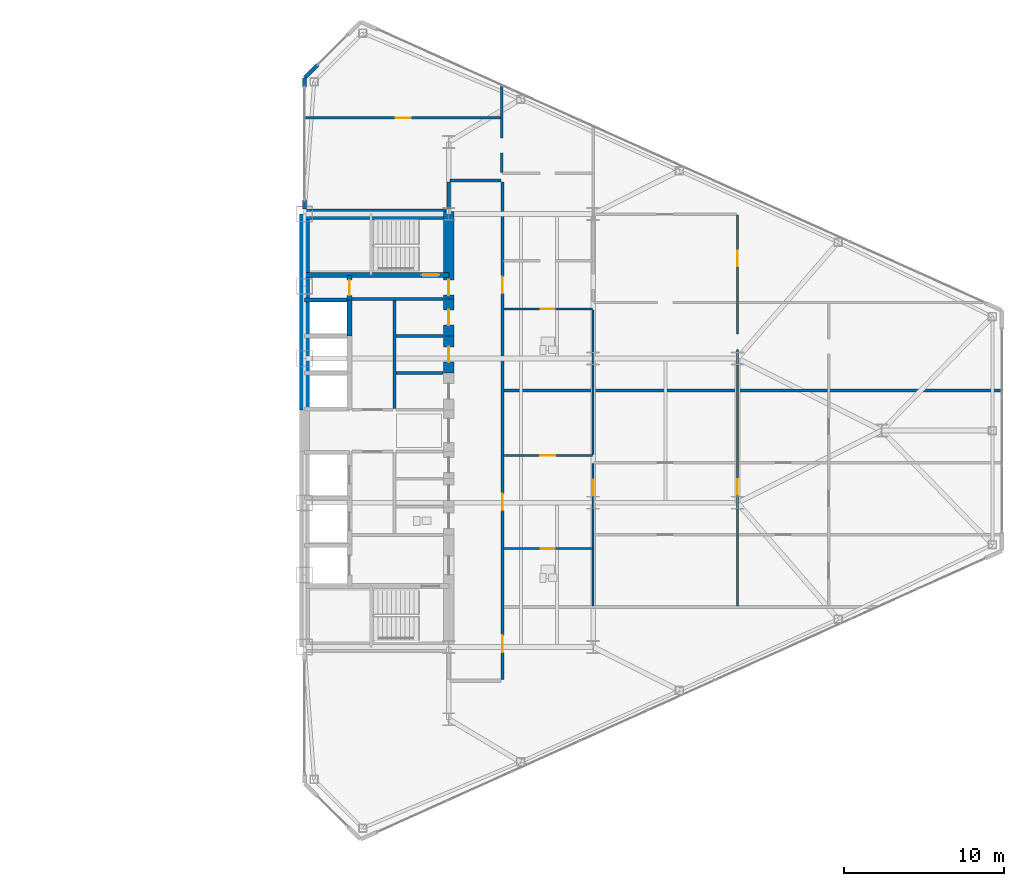
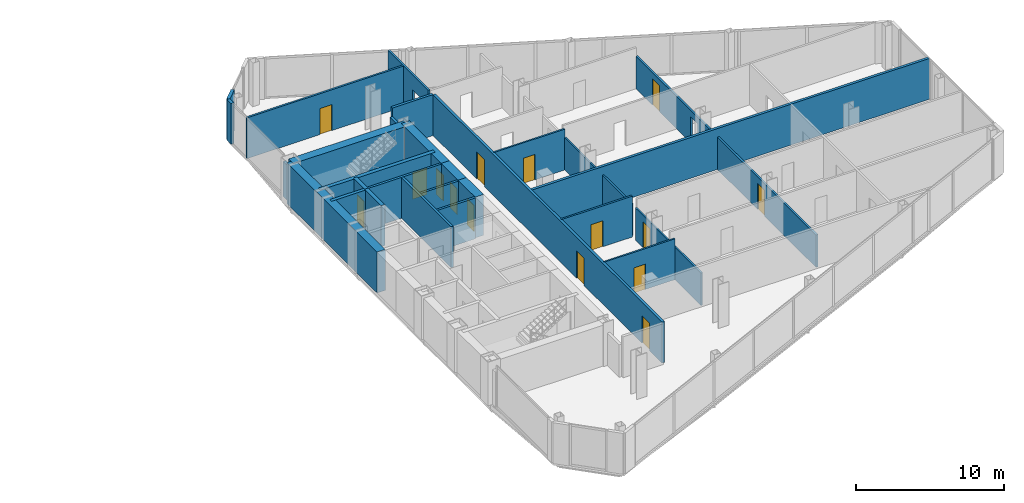
# One storey, part 23 of 27: 28 walls, 15 doors, 17 openings.
"""IFC4 building model written with IfcOpenShell, lengths in metres."""

from ifc_helpers import new_model, si_unit, direction, frame, frame_2d, origin, place, context, subcontext, project, spatial, rectangle, extrude, source, transform, mapped, material, layer, layer_set, type_object, type_shapes, element, fill, save


model = new_model("IFC4")

# Units and contexts
model_context = context("Model", 3, precision=1e-05, world=origin(), true_north=direction((0.0, 1.0)))
body_context = subcontext(model_context, "Body", "Model", "MODEL_VIEW")
ifc_project = project(units=[si_unit("LENGTHUNIT", "METRE"), si_unit("AREAUNIT", "SQUARE_METRE"), si_unit("VOLUMEUNIT", "CUBIC_METRE"), si_unit("PLANEANGLEUNIT", "RADIAN"), si_unit("MASSUNIT", "GRAM", prefix="KILO")], contexts=[model_context])

# Site, building, storey
site_placement = place(None, origin())
site = spatial("IfcSite", under=ifc_project, at=site_placement, CompositionType="ELEMENT")
building_placement = place(site_placement, origin())
building = spatial("IfcBuilding", under=site, at=building_placement, Name="Seokmaru Belvedere", CompositionType="ELEMENT")
storey_placement = place(building_placement, frame((0.0, 0.0, 103.199951171875)))
storey = spatial("IfcBuildingStorey", under=building, at=storey_placement, Name="L27", CompositionType="ELEMENT", Elevation=103.199951171875)

# Wall, opening, door
ifc_material_1 = material(Name="Fire-Rated Gypsum Shaftwall")
ifc_layer_1 = layer(ifc_material_1, 0.14990234375)
ifc_layer_set_1 = layer_set([ifc_layer_1], Name="Fire-Rated Gypsum Shaftwall")
wall_type_1 = type_object("IfcWallType", Name="Apartment Fire-Acoustic Room Partition 150", PredefinedType="PARTITIONING", material=ifc_layer_set_1)
wall_1_placement = place(storey_placement, frame((39.89990234375, -1.550048828125, 0.0), z_axis=(0.0, 0.0, 1.0), x_axis=(1.0, 0.0, 0.0)))
wall_1 = element("IfcWall", 1, at=wall_1_placement, inside=storey, type_object=wall_type_1, Name="L27 Interior Partition 014", PredefinedType="PARTITIONING", context=body_context, shape_type="SweptSolid", body=[
    extrude(rectangle(XDim=5.550048828125, YDim=0.14990234375, at=frame_2d((2.77490234375, 0.0))), origin(), (0.0, 0.0, 1.0), 3.380126953125),
])
opening_1_placement = place(wall_1_placement, frame((2.300048828125, 0.0, 0.0)))
opening_1 = element("IfcOpeningElement", 2, at=opening_1_placement, cuts=wall_1, Name="Opening D05", PredefinedType="OPENING", context=body_context, shape_type="SweptSolid", body=[
    extrude(rectangle(XDim=0.949951171875, YDim=2.14990234375, at=frame_2d((0.47509765625, 1.074951171875))), frame((0.0, 0.0849609375, 0.0), z_axis=(0.0, -1.0, 0.0), x_axis=(1.0, 0.0, 0.0)), (0.0, 0.0, 1.0), 0.169921875),
])
ifc_material_2 = material(Name="Engineered White Oak Timber", Category="wood")
door_type_1 = type_object("IfcDoorType", Name="Apartment Interior Fire-Rated Oak Door 950x2150", OperationType="NOTDEFINED", PredefinedType="DOOR", material=ifc_material_2)
shared_shape_1 = source(origin(), body_context, "Body", "SweptSolid", [
    extrude(rectangle(XDim=0.949951171875, YDim=2.14990234375, at=frame_2d((0.47509765625, 1.074951171875))), frame((0.0, 0.02490234375, 0.0), z_axis=(0.0, -1.0, 0.0), x_axis=(1.0, 0.0, 0.0)), (0.0, 0.0, 1.0), 0.050048828125),
])
type_shapes(door_type_1, [shared_shape_1])
door_1_placement = place(opening_1_placement, origin())
door_1 = element("IfcDoor", 3, at=door_1_placement, inside=storey, type_object=door_type_1, Name="L27 Interior Door 039", OperationType="SINGLE_SWING_RIGHT", OverallHeight=2.14990234375, OverallWidth=0.949951171875, PredefinedType="DOOR", context=body_context, shape_type="MappedRepresentation", body=[
    mapped(shared_shape_1, transform((0.0, 0.0, 0.0), scale=1.0)),
])
fill(opening_1, door_1)

wall_2_placement = place(storey_placement, frame((27.465087890625, 19.5, 0.0), z_axis=(0.0, 0.0, 1.0), x_axis=(1.0, 0.0, 0.0)))
wall_2 = element("IfcWall", 4, at=wall_2_placement, inside=storey, type_object=wall_type_1, Name="L27 Interior Partition 032", PredefinedType="PARTITIONING", context=body_context, shape_type="SweptSolid", body=[
    extrude(rectangle(XDim=12.284912109375, YDim=0.14990234375, at=frame_2d((6.142578125, 0.0))), origin(), (0.0, 0.0, 1.0), 3.380126953125),
])
opening_2_placement = place(wall_2_placement, frame((5.7099609375, 0.0, 0.0)))
opening_2 = element("IfcOpeningElement", 5, at=opening_2_placement, cuts=wall_2, Name="Opening D05", PredefinedType="OPENING", context=body_context, shape_type="SweptSolid", body=[
    extrude(rectangle(XDim=0.949951171875, YDim=2.14990234375, at=frame_2d((0.47509765625, 1.074951171875))), frame((0.0, 0.0849609375, 0.0), z_axis=(0.0, -1.0, 0.0), x_axis=(1.0, 0.0, 0.0)), (0.0, 0.0, 1.0), 0.169921875),
])
door_2_placement = place(opening_2_placement, origin())
door_2 = element("IfcDoor", 6, at=door_2_placement, inside=storey, type_object=door_type_1, Name="L27 Interior Door 060", OperationType="SINGLE_SWING_LEFT", OverallHeight=2.14990234375, OverallWidth=0.949951171875, PredefinedType="DOOR", context=body_context, shape_type="MappedRepresentation", body=[
    mapped(shared_shape_1, transform((0.0, 0.0, 0.0), scale=1.0)),
])
fill(opening_2, door_2)

# Wall, opening
wall_3_placement = place(storey_placement, frame((39.800048828125, 16.10888671875, 0.0), z_axis=(0.0, 0.0, 1.0), x_axis=(0.0, 1.0, 0.0)))
wall_3 = element("IfcWall", 7, at=wall_3_placement, inside=storey, type_object=wall_type_1, Name="L27 Interior Partition 047", PredefinedType="PARTITIONING", context=body_context, shape_type="SweptSolid", body=[
    extrude(rectangle(XDim=5.466064453125, YDim=0.14990234375, at=frame_2d((2.73291015625, 0.0))), origin(), (0.0, 0.0, 1.0), 3.380126953125),
])
opening_3_placement = place(wall_3_placement, frame((1.1953125, 0.0, 0.0)))
element("IfcOpeningElement", 8, at=opening_3_placement, cuts=wall_3, Name="L27 Cased Opening 059", PredefinedType="OPENING", context=body_context, shape_type="SweptSolid", body=[
    extrude(rectangle(XDim=0.949951171875, YDim=2.14990234375, at=frame_2d((0.47509765625, 1.074951171875))), frame((0.0, 0.0849609375, 0.0), z_axis=(0.0, -1.0, 0.0), x_axis=(1.0, 0.0, 0.0)), (0.0, 0.0, 1.0), 0.169921875),
])

# Wall, openings, doors
wall_4_placement = place(storey_placement, frame((54.5, -10.949951171875, 0.0), z_axis=(0.0, 0.0, 1.0), x_axis=(0.0, 1.0, 0.0)))
wall_4 = element("IfcWall", 9, at=wall_4_placement, inside=storey, type_object=wall_type_1, Name="L27 Interior Partition 052", PredefinedType="PARTITIONING", context=body_context, shape_type="SweptSolid", body=[
    extrude(rectangle(XDim=24.383056640625, YDim=0.14990234375, at=frame_2d((12.19140625, 0.0))), origin(), (0.0, 0.0, 1.0), 2.679931640625),
])
opening_4_placement = place(wall_4_placement, frame((6.95703125, 0.0, 0.0)))
opening_4 = element("IfcOpeningElement", 10, at=opening_4_placement, cuts=wall_4, Name="Opening D05", PredefinedType="OPENING", context=body_context, shape_type="SweptSolid", body=[
    extrude(rectangle(XDim=0.949951171875, YDim=2.14990234375, at=frame_2d((0.47509765625, 1.074951171875))), frame((0.0, 0.0849609375, 0.0), z_axis=(0.0, -1.0, 0.0), x_axis=(1.0, 0.0, 0.0)), (0.0, 0.0, 1.0), 0.169921875),
])
opening_5_placement = place(wall_4_placement, frame((21.21240234375, 0.0, 0.0)))
opening_5 = element("IfcOpeningElement", 11, at=opening_5_placement, cuts=wall_4, Name="Opening D05", PredefinedType="OPENING", context=body_context, shape_type="SweptSolid", body=[
    extrude(rectangle(XDim=0.949951171875, YDim=2.14990234375, at=frame_2d((0.47509765625, 1.074951171875))), frame((0.0, 0.0849609375, 0.0), z_axis=(0.0, -1.0, 0.0), x_axis=(1.0, 0.0, 0.0)), (0.0, 0.0, 1.0), 0.169921875),
])
opening_6_placement = place(wall_4_placement, frame((16.01806640625, 0.0, 0.0)))
element("IfcOpeningElement", 12, at=opening_6_placement, cuts=wall_4, Name="L27 Cased Opening 056", PredefinedType="OPENING", context=body_context, shape_type="SweptSolid", body=[
    extrude(rectangle(XDim=0.949951171875, YDim=2.14990234375, at=frame_2d((0.47509765625, 1.074951171875))), frame((0.0, 0.0849609375, 0.0), z_axis=(0.0, -1.0, 0.0), x_axis=(1.0, 0.0, 0.0)), (0.0, 0.0, 1.0), 0.169921875),
])
door_3_placement = place(opening_4_placement, origin())
door_3 = element("IfcDoor", 13, at=door_3_placement, inside=storey, type_object=door_type_1, Name="L27 Interior Door 041", OperationType="SINGLE_SWING_RIGHT", OverallHeight=2.14990234375, OverallWidth=0.949951171875, PredefinedType="DOOR", context=body_context, shape_type="MappedRepresentation", body=[
    mapped(shared_shape_1, transform((0.0, 0.0, 0.0), scale=1.0)),
])
fill(opening_4, door_3)
door_4_placement = place(opening_5_placement, origin())
door_4 = element("IfcDoor", 14, at=door_4_placement, inside=storey, type_object=door_type_1, Name="L27 Interior Door 053", OperationType="SINGLE_SWING_LEFT", OverallHeight=2.14990234375, OverallWidth=0.949951171875, PredefinedType="DOOR", context=body_context, shape_type="MappedRepresentation", body=[
    mapped(shared_shape_1, transform((0.0, 0.0, 0.0), scale=1.0)),
])
fill(opening_5, door_4)

# Walls
ifc_layer_2 = layer(ifc_material_1, 0.179931640625)
ifc_layer_set_2 = layer_set([ifc_layer_2], Name="Fire-Rated Gypsum Shaftwall")
wall_type_2 = type_object("IfcWallType", Name="Core Service Fire Partition 180", PredefinedType="PARTITIONING", material=ifc_layer_set_2)
wall_5_placement = place(storey_placement, frame((30.449951171875, 8.199951171875, 0.0), z_axis=(0.0, 0.0, 1.0), x_axis=(1.0, 0.0, 0.0)))
element("IfcWall", 15, at=wall_5_placement, inside=storey, type_object=wall_type_2, Name="L27 East Smokeproof Vestibule Partition", PredefinedType="PARTITIONING", context=body_context, shape_type="SweptSolid", body=[
    extrude(rectangle(XDim=5.699951171875, YDim=0.179931640625, at=frame_2d((2.85009765625, 0.0))), origin(), (0.0, 0.0, 1.0), 3.380126953125),
])
wall_6_placement = place(storey_placement, frame((33.10009765625, 1.3798828125, 0.0), z_axis=(0.0, 0.0, 1.0), x_axis=(0.0, 1.0, 0.0)))
element("IfcWall", 16, at=wall_6_placement, inside=storey, type_object=wall_type_2, Name="L27 East North Core Service Back Wall", PredefinedType="PARTITIONING", context=body_context, shape_type="SweptSolid", body=[
    extrude(rectangle(XDim=6.740234375, YDim=0.179931640625, at=frame_2d((3.3701171875, 0.0))), origin(), (0.0, 0.0, 1.0), 3.380126953125),
])
for number, where, z_axis, x_axis, name in (
    (17, (33.199951171875, 3.60009765625, 0.0), (0.0, 0.0, 1.0), (1.0, 0.0, 0.0), "L27 East Core Service Partition 3"),
    (18, (33.199951171875, 5.89990234375, 0.0), (0.0, 0.0, 1.0), (1.0, 0.0, 0.0), "L27 East Core Service Partition 4"),
):
    element("IfcWall", number, at=place(storey_placement, frame(where, z_axis=z_axis, x_axis=x_axis)), inside=storey, type_object=wall_type_2, Name=name, PredefinedType="PARTITIONING", context=body_context, shape_type="SweptSolid", body=[
        extrude(rectangle(XDim=2.949951171875, YDim=0.179931640625, at=frame_2d((1.47509765625, 0.0))), origin(), (0.0, 0.0, 1.0), 3.380126953125),
    ])
ifc_material_3 = material(Name="Concrete C50 (50 MPa)", Category="concrete")
ifc_layer_3 = layer(ifc_material_3, 0.25)
ifc_layer_set_3 = layer_set([ifc_layer_3], Name="Concrete C50 (50 MPa)")
wall_type_3 = type_object("IfcWallType", Name="Hoistway Transverse Concrete Divider Wall 250", PredefinedType="SHEAR", material=ifc_layer_set_3)
wall_7_placement = place(storey_placement, frame((27.5, 8.14990234375, 0.0), z_axis=(0.0, 0.0, 1.0), x_axis=(1.0, 0.0, 0.0)))
element("IfcWall", 19, at=wall_7_placement, inside=storey, type_object=wall_type_3, Name="L27 East Hoistway Divider Core Wall 7", PredefinedType="SHEAR", context=body_context, shape_type="SweptSolid", body=[
    extrude(rectangle(XDim=2.800048828125, YDim=0.25, at=frame_2d((1.39990234375, 0.0))), origin(), (0.0, 0.0, 1.0), 3.380126953125),
])
ifc_layer_4 = layer(ifc_material_1, 0.199951171875)
ifc_layer_set_4 = layer_set([ifc_layer_4], Name="Fire-Rated Gypsum Shaftwall")
wall_type_4 = type_object("IfcWallType", Name="Inter-Tenancy Fire Compartment Partition 200", PredefinedType="PARTITIONING", material=ifc_layer_set_4)
wall_8_placement = place(storey_placement, frame((39.929931640625, 2.5, 0.0), z_axis=(0.0, 0.0, 1.0), x_axis=(1.0, 0.0, 0.0)))
element("IfcWall", 20, at=wall_8_placement, inside=storey, type_object=wall_type_4, Name="L27 Interior Partition 017", PredefinedType="PARTITIONING", context=body_context, shape_type="SweptSolid", body=[
    extrude(rectangle(XDim=31.074951171875, YDim=0.199951171875, at=frame_2d((15.53759765625, 0.0))), origin(), (0.0, 0.0, 1.0), 3.380126953125),
])
wall_9_placement = place(storey_placement, frame((36.5849609375, 15.60009765625, 0.0), z_axis=(0.0, 0.0, 1.0), x_axis=(1.0, 0.0, 0.0)))
element("IfcWall", 21, at=wall_9_placement, inside=storey, type_object=wall_type_4, Name="L27 Interior Partition 028", PredefinedType="PARTITIONING", context=body_context, shape_type="SweptSolid", body=[
    extrude(rectangle(XDim=3.179931640625, YDim=0.199951171875, at=frame_2d((1.58984375, 0.0))), origin(), (0.0, 0.0, 1.0), 3.380126953125),
])
wall_10_placement = place(storey_placement, frame((36.5, 13.830078125, 0.0), z_axis=(0.0, 0.0, 1.0), x_axis=(0.0, 1.0, 0.0)))
element("IfcWall", 22, at=wall_10_placement, inside=storey, type_object=wall_type_4, Name="L27 Interior Partition 046", PredefinedType="PARTITIONING", context=body_context, shape_type="SweptSolid", body=[
    extrude(rectangle(XDim=1.684814453125, YDim=0.199951171875, at=frame_2d((0.84228515625, 0.0))), origin(), (0.0, 0.0, 1.0), 2.679931640625),
])

# Wall, openings, doors
wall_11_placement = place(storey_placement, frame((39.85009765625, -15.514892578125, 0.0), z_axis=(0.0, 0.0, 1.0), x_axis=(0.0, 1.0, 0.0)))
wall_11 = element("IfcWall", 23, at=wall_11_placement, inside=storey, type_object=wall_type_4, Name="L27 Interior Partition 048", PredefinedType="PARTITIONING", context=body_context, shape_type="SweptSolid", body=[
    extrude(rectangle(XDim=31.02978515625, YDim=0.199951171875, at=frame_2d((15.514892578125, 0.0))), origin(), (0.0, 0.0, 1.0), 3.380126953125),
])
opening_7_placement = place(wall_11_placement, frame((1.68994140625, 0.0, 0.0)))
opening_7 = element("IfcOpeningElement", 24, at=opening_7_placement, cuts=wall_11, Name="Opening D03", PredefinedType="OPENING", context=body_context, shape_type="SweptSolid", body=[
    extrude(rectangle(XDim=1.050048828125, YDim=2.25, at=frame_2d((0.52490234375, 1.125))), frame((0.0, 0.10986328125, 0.0), z_axis=(0.0, -1.0, 0.0), x_axis=(1.0, 0.0, 0.0)), (0.0, 0.0, 1.0), 0.219970703125),
])
opening_8_placement = place(wall_11_placement, frame((10.53759765625, 0.0, 0.0)))
opening_8 = element("IfcOpeningElement", 25, at=opening_8_placement, cuts=wall_11, Name="Opening D03", PredefinedType="OPENING", context=body_context, shape_type="SweptSolid", body=[
    extrude(rectangle(XDim=1.050048828125, YDim=2.25, at=frame_2d((0.52490234375, 1.125))), frame((0.0, 0.10986328125, 0.0), z_axis=(0.0, -1.0, 0.0), x_axis=(1.0, 0.0, 0.0)), (0.0, 0.0, 1.0), 0.219970703125),
])
opening_9_placement = place(wall_11_placement, frame((24.0673828125, 0.0, 0.0)))
opening_9 = element("IfcOpeningElement", 26, at=opening_9_placement, cuts=wall_11, Name="Opening D03", PredefinedType="OPENING", context=body_context, shape_type="SweptSolid", body=[
    extrude(rectangle(XDim=1.050048828125, YDim=2.25, at=frame_2d((0.52490234375, 1.125))), frame((0.0, 0.10986328125, 0.0), z_axis=(0.0, -1.0, 0.0), x_axis=(1.0, 0.0, 0.0)), (0.0, 0.0, 1.0), 0.219970703125),
])
ifc_material_4 = material(Name="Fire-Rated Steel Leaf", Category="steel")
door_type_2 = type_object("IfcDoorType", Name="Apartment Entrance Fire Door 1050x2250", OperationType="NOTDEFINED", PredefinedType="DOOR", material=ifc_material_4)
shared_shape_2 = source(origin(), body_context, "Body", "SweptSolid", [
    extrude(rectangle(XDim=1.050048828125, YDim=2.25, at=frame_2d((0.52490234375, 1.125))), frame((0.0, 0.02490234375, 0.0), z_axis=(0.0, -1.0, 0.0), x_axis=(1.0, 0.0, 0.0)), (0.0, 0.0, 1.0), 0.050048828125),
])
type_shapes(door_type_2, [shared_shape_2])
door_5_placement = place(opening_7_placement, origin())
door_5 = element("IfcDoor", 27, at=door_5_placement, inside=storey, type_object=door_type_2, Name="L27 Interior Door 036", OperationType="SINGLE_SWING_LEFT", OverallHeight=2.25, OverallWidth=1.050048828125, PredefinedType="DOOR", context=body_context, shape_type="MappedRepresentation", body=[
    mapped(shared_shape_2, transform((0.0, 0.0, 0.0), scale=1.0)),
])
fill(opening_7, door_5)
door_6_placement = place(opening_8_placement, origin())
door_6 = element("IfcDoor", 28, at=door_6_placement, inside=storey, type_object=door_type_2, Name="L27 Interior Door 037", OperationType="SINGLE_SWING_RIGHT", OverallHeight=2.25, OverallWidth=1.050048828125, PredefinedType="DOOR", context=body_context, shape_type="MappedRepresentation", body=[
    mapped(shared_shape_2, transform((0.0, 0.0, 0.0), scale=1.0)),
])
fill(opening_8, door_6)
door_7_placement = place(opening_9_placement, origin())
door_7 = element("IfcDoor", 29, at=door_7_placement, inside=storey, type_object=door_type_2, Name="L27 Interior Door 049", OperationType="SINGLE_SWING_LEFT", OverallHeight=2.25, OverallWidth=1.050048828125, PredefinedType="DOOR", context=body_context, shape_type="MappedRepresentation", body=[
    mapped(shared_shape_2, transform((0.0, 0.0, 0.0), scale=1.0)),
])
fill(opening_9, door_7)

# Wall, opening, door
ifc_layer_5 = layer(ifc_material_3, 0.300048828125)
ifc_layer_set_5 = layer_set([ifc_layer_5], Name="Concrete C50 (50 MPa)")
wall_type_5 = type_object("IfcWallType", Name="Internal Core Stair and Hoistway Wall 300", PredefinedType="SHEAR", material=ifc_layer_set_5)
wall_12_placement = place(storey_placement, frame((27.5, 9.699951171875, 0.0), z_axis=(0.0, 0.0, 1.0), x_axis=(1.0, 0.0, 0.0)))
wall_12 = element("IfcWall", 30, at=wall_12_placement, inside=storey, type_object=wall_type_5, Name="L27 East Stair ST-2 Enclosure Wall", PredefinedType="SHEAR", context=body_context, shape_type="SweptSolid", body=[
    extrude(rectangle(XDim=9.0, YDim=0.300048828125, at=frame_2d((4.5, 0.0))), origin(), (0.0, 0.0, 1.0), 3.380126953125),
])
opening_10_placement = place(wall_12_placement, frame((7.300048828125, 0.0, 0.0)))
opening_10 = element("IfcOpeningElement", 31, at=opening_10_placement, cuts=wall_12, Name="Opening D01", PredefinedType="OPENING", context=body_context, shape_type="SweptSolid", body=[
    extrude(rectangle(XDim=1.10009765625, YDim=2.199951171875, at=frame_2d((0.550048828125, 1.10009765625))), frame((0.0, 0.16015625, 0.0), z_axis=(0.0, -1.0, 0.0), x_axis=(1.0, 0.0, 0.0)), (0.0, 0.0, 1.0), 0.320068359375),
])
door_type_3 = type_object("IfcDoorType", Name="Special Escape Stair Smokeproof Fire Door 1100x2200", OperationType="NOTDEFINED", PredefinedType="DOOR", material=ifc_material_4)
shared_shape_3 = source(origin(), body_context, "Body", "SweptSolid", [
    extrude(rectangle(XDim=1.10009765625, YDim=2.199951171875, at=frame_2d((0.550048828125, 1.10009765625))), frame((0.0, 0.02490234375, 0.0), z_axis=(0.0, -1.0, 0.0), x_axis=(1.0, 0.0, 0.0)), (0.0, 0.0, 1.0), 0.050048828125),
])
type_shapes(door_type_3, [shared_shape_3])
door_8_placement = place(opening_10_placement, origin())
door_8 = element("IfcDoor", 32, at=door_8_placement, inside=storey, type_object=door_type_3, Name="L27 East Special Escape Stair ST-2 Door", OperationType="SINGLE_SWING_LEFT", OverallHeight=2.199951171875, OverallWidth=1.10009765625, PredefinedType="DOOR", context=body_context, shape_type="MappedRepresentation", body=[
    mapped(shared_shape_3, transform((0.0, 0.0, 0.0), scale=1.0)),
])
fill(opening_10, door_8)

# Wall
wall_13_placement = place(storey_placement, frame((30.300048828125, 5.89990234375, 0.0), z_axis=(0.0, 0.0, 1.0), x_axis=(0.0, 1.0, 0.0)))
element("IfcWall", 33, at=wall_13_placement, inside=storey, type_object=wall_type_5, Name="L27 East North Hoistway Wall OBS", PredefinedType="SHEAR", context=body_context, shape_type="SweptSolid", body=[
    extrude(rectangle(XDim=2.25, YDim=0.300048828125, at=frame_2d((1.125, 0.0))), origin(), (0.0, 0.0, 1.0), 3.380126953125),
])

# Wall, opening, door
wall_14_placement = place(storey_placement, frame((30.300048828125, 8.14990234375, 0.0), z_axis=(0.0, 0.0, 1.0), x_axis=(0.0, 1.0, 0.0)))
wall_14 = element("IfcWall", 34, at=wall_14_placement, inside=storey, type_object=wall_type_5, Name="L27 East Electrical Riser Front Wall", PredefinedType="SHEAR", context=body_context, shape_type="SweptSolid", body=[
    extrude(rectangle(XDim=1.530029296875, YDim=0.300048828125, at=frame_2d((0.76513671875, 0.0))), origin(), (0.0, 0.0, 1.0), 3.380126953125),
])
opening_11_placement = place(wall_14_placement, frame((0.284912109375, 0.0, 0.0)))
opening_11 = element("IfcOpeningElement", 35, at=opening_11_placement, cuts=wall_14, Name="Opening D04", PredefinedType="OPENING", context=body_context, shape_type="SweptSolid", body=[
    extrude(rectangle(XDim=0.949951171875, YDim=2.14990234375, at=frame_2d((0.47509765625, 1.074951171875))), frame((0.0, 0.16015625, 0.0), z_axis=(0.0, -1.0, 0.0), x_axis=(1.0, 0.0, 0.0)), (0.0, 0.0, 1.0), 0.320068359375),
])
door_type_4 = type_object("IfcDoorType", Name="Core Service Room Fire Door 950x2150", OperationType="NOTDEFINED", PredefinedType="DOOR", material=ifc_material_4)
shared_shape_4 = source(origin(), body_context, "Body", "SweptSolid", [
    extrude(rectangle(XDim=0.949951171875, YDim=2.14990234375, at=frame_2d((0.47509765625, 1.074951171875))), frame((0.0, 0.02490234375, 0.0), z_axis=(0.0, -1.0, 0.0), x_axis=(1.0, 0.0, 0.0)), (0.0, 0.0, 1.0), 0.050048828125),
])
type_shapes(door_type_4, [shared_shape_4])
door_9_placement = place(opening_11_placement, origin())
door_9 = element("IfcDoor", 36, at=door_9_placement, inside=storey, type_object=door_type_4, Name="L27 East Electrical Riser Access Door", OperationType="SINGLE_SWING_RIGHT", OverallHeight=2.14990234375, OverallWidth=0.949951171875, PredefinedType="DOOR", context=body_context, shape_type="MappedRepresentation", body=[
    mapped(shared_shape_4, transform((0.0, 0.0, 0.0), scale=1.0)),
])
fill(opening_11, door_9)

# Walls
ifc_material_5 = material(Name="Concrete C60 (60 MPa)", Category="concrete")
ifc_layer_6 = layer(ifc_material_5, 0.64990234375)
ifc_layer_set_6 = layer_set([ifc_layer_6], Name="Concrete C60 (60 MPa)")
wall_type_6 = type_object("IfcWallType", Name="Mid-Low Reinforced Concrete Core Wall 650", PredefinedType="SHEAR", material=ifc_layer_set_6)
wall_15_placement = place(storey_placement, frame((27.5, 1.300048828125, 0.0), z_axis=(0.0, 0.0, 1.0), x_axis=(0.0, 1.0, 0.0)))
element("IfcWall", 37, at=wall_15_placement, inside=storey, type_object=wall_type_6, Name="L27 East Portal Spine Core Wall North", PredefinedType="SHEAR", context=body_context, shape_type="SweptSolid", body=[
    extrude(rectangle(XDim=12.199951171875, YDim=0.64990234375, at=frame_2d((6.10009765625, 0.0))), origin(), (0.0, 0.0, 1.0), 3.380126953125),
])
wall_16_placement = place(storey_placement, frame((27.5, 13.5, 0.0), z_axis=(0.0, 0.0, 1.0), x_axis=(1.0, 0.0, 0.0)))
element("IfcWall", 38, at=wall_16_placement, inside=storey, type_object=wall_type_6, Name="L27 East North Core Wall", PredefinedType="SHEAR", context=body_context, shape_type="SweptSolid", body=[
    extrude(rectangle(XDim=9.0, YDim=0.64990234375, at=frame_2d((4.5, 0.0))), origin(), (0.0, 0.0, 1.0), 3.380126953125),
])

# Wall, opening, door
wall_17_placement = place(storey_placement, frame((36.5, 8.199951171875, 0.0), z_axis=(0.0, 0.0, 1.0), x_axis=(0.0, 1.0, 0.0)))
wall_17 = element("IfcWall", 39, at=wall_17_placement, inside=storey, type_object=wall_type_6, Name="L27 East West Core Wall VST", PredefinedType="SHEAR", context=body_context, shape_type="SweptSolid", body=[
    extrude(rectangle(XDim=5.449951171875, YDim=0.64990234375, at=frame_2d((2.72509765625, 0.0))), origin(), (0.0, 0.0, 1.0), 3.380126953125),
])
opening_12_placement = place(wall_17_placement, frame((0.2451171875, 0.0, 0.0)))
opening_12 = element("IfcOpeningElement", 40, at=opening_12_placement, cuts=wall_17, Name="Opening D04", PredefinedType="OPENING", context=body_context, shape_type="SweptSolid", body=[
    extrude(rectangle(XDim=0.949951171875, YDim=2.14990234375, at=frame_2d((0.47509765625, 1.074951171875))), frame((0.0, 0.3349609375, 0.0), z_axis=(0.0, -1.0, 0.0), x_axis=(1.0, 0.0, 0.0)), (0.0, 0.0, 1.0), 0.669921875),
])
door_10_placement = place(opening_12_placement, origin())
door_10 = element("IfcDoor", 41, at=door_10_placement, inside=storey, type_object=door_type_4, Name="L27 East Smokeproof Vestibule Door", OperationType="SINGLE_SWING_LEFT", OverallHeight=2.14990234375, OverallWidth=0.949951171875, PredefinedType="DOOR", context=body_context, shape_type="MappedRepresentation", body=[
    mapped(shared_shape_4, transform((0.0, 0.0, 0.0), scale=1.0)),
])
fill(opening_12, door_10)

wall_18_placement = place(storey_placement, frame((36.5, 3.60009765625, 0.0), z_axis=(0.0, 0.0, 1.0), x_axis=(0.0, 1.0, 0.0)))
wall_18 = element("IfcWall", 42, at=wall_18_placement, inside=storey, type_object=wall_type_6, Name="L27 East West Core Wall CS5", PredefinedType="SHEAR", context=body_context, shape_type="SweptSolid", body=[
    extrude(rectangle(XDim=2.2998046875, YDim=0.64990234375, at=frame_2d((1.14990234375, 0.0))), origin(), (0.0, 0.0, 1.0), 3.380126953125),
])
opening_13_placement = place(wall_18_placement, frame((0.675048828125, 0.0, 0.0)))
opening_13 = element("IfcOpeningElement", 43, at=opening_13_placement, cuts=wall_18, Name="Opening D04", PredefinedType="OPENING", context=body_context, shape_type="SweptSolid", body=[
    extrude(rectangle(XDim=0.949951171875, YDim=2.14990234375, at=frame_2d((0.47509765625, 1.074951171875))), frame((0.0, 0.3349609375, 0.0), z_axis=(0.0, -1.0, 0.0), x_axis=(1.0, 0.0, 0.0)), (0.0, 0.0, 1.0), 0.669921875),
])
door_11_placement = place(opening_13_placement, origin())
door_11 = element("IfcDoor", 44, at=door_11_placement, inside=storey, type_object=door_type_4, Name="L27 East Core Service Room Door 5", OperationType="SINGLE_SWING_RIGHT", OverallHeight=2.14990234375, OverallWidth=0.949951171875, PredefinedType="DOOR", context=body_context, shape_type="MappedRepresentation", body=[
    mapped(shared_shape_4, transform((0.0, 0.0, 0.0), scale=1.0)),
])
fill(opening_13, door_11)

wall_19_placement = place(storey_placement, frame((36.5, 5.89990234375, 0.0), z_axis=(0.0, 0.0, 1.0), x_axis=(0.0, 1.0, 0.0)))
wall_19 = element("IfcWall", 45, at=wall_19_placement, inside=storey, type_object=wall_type_6, Name="L27 East West Core Wall CS6", PredefinedType="SHEAR", context=body_context, shape_type="SweptSolid", body=[
    extrude(rectangle(XDim=2.300048828125, YDim=0.64990234375, at=frame_2d((1.14990234375, 0.0))), origin(), (0.0, 0.0, 1.0), 3.380126953125),
])
opening_14_placement = place(wall_19_placement, frame((0.675048828125, 0.0, 0.0)))
opening_14 = element("IfcOpeningElement", 46, at=opening_14_placement, cuts=wall_19, Name="Opening D04", PredefinedType="OPENING", context=body_context, shape_type="SweptSolid", body=[
    extrude(rectangle(XDim=0.949951171875, YDim=2.14990234375, at=frame_2d((0.47509765625, 1.074951171875))), frame((0.0, 0.3349609375, 0.0), z_axis=(0.0, -1.0, 0.0), x_axis=(1.0, 0.0, 0.0)), (0.0, 0.0, 1.0), 0.669921875),
])
door_12_placement = place(opening_14_placement, origin())
door_12 = element("IfcDoor", 47, at=door_12_placement, inside=storey, type_object=door_type_4, Name="L27 East Core Service Room Door 6", OperationType="SINGLE_SWING_LEFT", OverallHeight=2.14990234375, OverallWidth=0.949951171875, PredefinedType="DOOR", context=body_context, shape_type="MappedRepresentation", body=[
    mapped(shared_shape_4, transform((0.0, 0.0, 0.0), scale=1.0)),
])
fill(opening_14, door_12)

ifc_layer_7 = layer(ifc_material_1, 0.1298828125)
ifc_layer_set_7 = layer_set([ifc_layer_7], Name="Fire-Rated Gypsum Shaftwall")
wall_type_7 = type_object("IfcWallType", Name="Moisture-Resistant Fire-Rated Bathroom Partition 130", PredefinedType="PARTITIONING", material=ifc_layer_set_7)
wall_20_placement = place(storey_placement, frame((39.89990234375, -7.360107421875, 0.0), z_axis=(0.0, 0.0, 1.0), x_axis=(1.0, 0.0, 0.0)))
wall_20 = element("IfcWall", 48, at=wall_20_placement, inside=storey, type_object=wall_type_7, Name="L27 Interior Partition 009", PredefinedType="PARTITIONING", context=body_context, shape_type="SweptSolid", body=[
    extrude(rectangle(XDim=5.550048828125, YDim=0.1298828125, at=frame_2d((2.77490234375, 0.0))), origin(), (0.0, 0.0, 1.0), 3.380126953125),
])
opening_15_placement = place(wall_20_placement, frame((2.3349609375, 0.0, 0.0)))
opening_15 = element("IfcOpeningElement", 49, at=opening_15_placement, cuts=wall_20, Name="Opening D06", PredefinedType="OPENING", context=body_context, shape_type="SweptSolid", body=[
    extrude(rectangle(XDim=0.8798828125, YDim=2.10009765625, at=frame_2d((0.43994140625, 1.050048828125))), frame((0.0, 0.074951171875, 0.0), z_axis=(0.0, -1.0, 0.0), x_axis=(1.0, 0.0, 0.0)), (0.0, 0.0, 1.0), 0.14990234375),
])
door_type_5 = type_object("IfcDoorType", Name="Bathroom and Restroom Fire-Rated Door 880x2100", OperationType="NOTDEFINED", PredefinedType="DOOR", material=ifc_material_2)
shared_shape_5 = source(origin(), body_context, "Body", "SweptSolid", [
    extrude(rectangle(XDim=0.8798828125, YDim=2.10009765625, at=frame_2d((0.43994140625, 1.050048828125))), frame((0.0, 0.02490234375, 0.0), z_axis=(0.0, -1.0, 0.0), x_axis=(1.0, 0.0, 0.0)), (0.0, 0.0, 1.0), 0.050048828125),
])
type_shapes(door_type_5, [shared_shape_5])
door_13_placement = place(opening_15_placement, origin())
door_13 = element("IfcDoor", 50, at=door_13_placement, inside=storey, type_object=door_type_5, Name="L27 Interior Door 038", OperationType="SINGLE_SWING_RIGHT", OverallHeight=2.10009765625, OverallWidth=0.8798828125, PredefinedType="DOOR", context=body_context, shape_type="MappedRepresentation", body=[
    mapped(shared_shape_5, transform((0.0, 0.0, 0.0), scale=1.0)),
])
fill(opening_15, door_13)

wall_21_placement = place(storey_placement, frame((39.89990234375, 7.580078125, 0.0), z_axis=(0.0, 0.0, 1.0), x_axis=(1.0, 0.0, 0.0)))
wall_21 = element("IfcWall", 51, at=wall_21_placement, inside=storey, type_object=wall_type_7, Name="L27 Interior Partition 019", PredefinedType="PARTITIONING", context=body_context, shape_type="SweptSolid", body=[
    extrude(rectangle(XDim=5.550048828125, YDim=0.1298828125, at=frame_2d((2.77490234375, 0.0))), origin(), (0.0, 0.0, 1.0), 3.380126953125),
])
opening_16_placement = place(wall_21_placement, frame((2.3349609375, 0.0, 0.0)))
opening_16 = element("IfcOpeningElement", 52, at=opening_16_placement, cuts=wall_21, Name="Opening D06", PredefinedType="OPENING", context=body_context, shape_type="SweptSolid", body=[
    extrude(rectangle(XDim=0.8798828125, YDim=2.10009765625, at=frame_2d((0.43994140625, 1.050048828125))), frame((0.0, 0.074951171875, 0.0), z_axis=(0.0, -1.0, 0.0), x_axis=(1.0, 0.0, 0.0)), (0.0, 0.0, 1.0), 0.14990234375),
])
door_14_placement = place(opening_16_placement, origin())
door_14 = element("IfcDoor", 53, at=door_14_placement, inside=storey, type_object=door_type_5, Name="L27 Interior Door 050", OperationType="SINGLE_SWING_RIGHT", OverallHeight=2.10009765625, OverallWidth=0.8798828125, PredefinedType="DOOR", context=body_context, shape_type="MappedRepresentation", body=[
    mapped(shared_shape_5, transform((0.0, 0.0, 0.0), scale=1.0)),
])
fill(opening_16, door_14)

wall_22_placement = place(storey_placement, frame((45.5, -10.949951171875, 0.0), z_axis=(0.0, 0.0, 1.0), x_axis=(0.0, 1.0, 0.0)))
wall_22 = element("IfcWall", 54, at=wall_22_placement, inside=storey, type_object=wall_type_7, Name="L27 Interior Partition 049", PredefinedType="PARTITIONING", context=body_context, shape_type="SweptSolid", body=[
    extrude(rectangle(XDim=8.89990234375, YDim=0.1298828125, at=frame_2d((4.449951171875, 0.0))), origin(), (0.0, 0.0, 1.0), 2.679931640625),
])
opening_17_placement = place(wall_22_placement, frame((6.922607421875, 0.0, 0.0)))
opening_17 = element("IfcOpeningElement", 55, at=opening_17_placement, cuts=wall_22, Name="Opening D05", PredefinedType="OPENING", context=body_context, shape_type="SweptSolid", body=[
    extrude(rectangle(XDim=0.949951171875, YDim=2.14990234375, at=frame_2d((0.47509765625, 1.074951171875))), frame((0.0, 0.074951171875, 0.0), z_axis=(0.0, -1.0, 0.0), x_axis=(1.0, 0.0, 0.0)), (0.0, 0.0, 1.0), 0.14990234375),
])
door_15_placement = place(opening_17_placement, origin())
door_15 = element("IfcDoor", 56, at=door_15_placement, inside=storey, type_object=door_type_1, Name="L27 Interior Door 040", OperationType="SINGLE_SWING_LEFT", OverallHeight=2.14990234375, OverallWidth=0.949951171875, PredefinedType="DOOR", context=body_context, shape_type="MappedRepresentation", body=[
    mapped(shared_shape_1, transform((0.0, 0.0, 0.0), scale=1.0)),
])
fill(opening_17, door_15)

# Walls
wall_23_placement = place(storey_placement, frame((45.5, -1.498046875, 0.0), z_axis=(0.0, 0.0, 1.0), x_axis=(0.0, 1.0, 0.0)))
element("IfcWall", 57, at=wall_23_placement, inside=storey, type_object=wall_type_7, Name="L27 Interior Partition 050", PredefinedType="PARTITIONING", context=body_context, shape_type="SweptSolid", body=[
    extrude(rectangle(XDim=9.025146484375, YDim=0.1298828125, at=frame_2d((4.5126953125, 0.0))), origin(), (0.0, 0.0, 1.0), 2.679931640625),
])
ifc_material_6 = material(Name="Anodised Bronze Aluminium", Category="aluminium")
ifc_layer_8 = layer(ifc_material_6, 0.239990234375)
ifc_layer_set_8 = layer_set([ifc_layer_8], Name="Anodised Bronze Aluminium")
wall_type_8 = type_object("IfcWallType", Name="Tower Corner Spandrel Closure Wall 240", PredefinedType="SOLIDWALL", material=ifc_layer_set_8)
wall_24_placement = place(storey_placement, frame((28.313232421875, 22.813232421875, 0.0), z_axis=(0.0, 0.0, 1.0), x_axis=(-0.707106781187, -0.707106781187, 0.0)))
element("IfcWall", 58, at=wall_24_placement, inside=storey, type_object=wall_type_8, Name="L27 E Corner Closure Pier 4B", PredefinedType="SOLIDWALL", context=body_context, shape_type="SweptSolid", body=[
    extrude(rectangle(XDim=1.14013671875, YDim=0.239990234375, at=frame_2d((0.570068359375, 0.0))), origin(), (0.0, 0.0, 1.0), 3.380126953125),
])
wall_25_placement = place(storey_placement, frame((27.5, 13.830078125, 0.0), z_axis=(0.0, 0.0, 1.0), x_axis=(0.0, 1.0, 0.0)))
element("IfcWall", 59, at=wall_25_placement, inside=storey, type_object=wall_type_8, Name="L27 E Spine Closure Pier 2A", PredefinedType="SOLIDWALL", context=body_context, shape_type="SweptSolid", body=[
    extrude(rectangle(XDim=0.5498046875, YDim=0.239990234375, at=frame_2d((0.27490234375, 0.0))), origin(), (0.0, 0.0, 1.0), 2.880126953125),
])
wall_26_placement = place(storey_placement, frame((27.5, 21.429931640625, 0.0), z_axis=(0.0, 0.0, 1.0), x_axis=(0.0, 1.0, 0.0)))
element("IfcWall", 60, at=wall_26_placement, inside=storey, type_object=wall_type_8, Name="L27 E Spine Closure Pier 2B", PredefinedType="SOLIDWALL", context=body_context, shape_type="SweptSolid", body=[
    extrude(rectangle(XDim=0.550048828125, YDim=0.239990234375, at=frame_2d((0.27490234375, 0.0))), origin(), (0.0, 0.0, 1.0), 3.380126953125),
])

save(model, "model.ifc")
